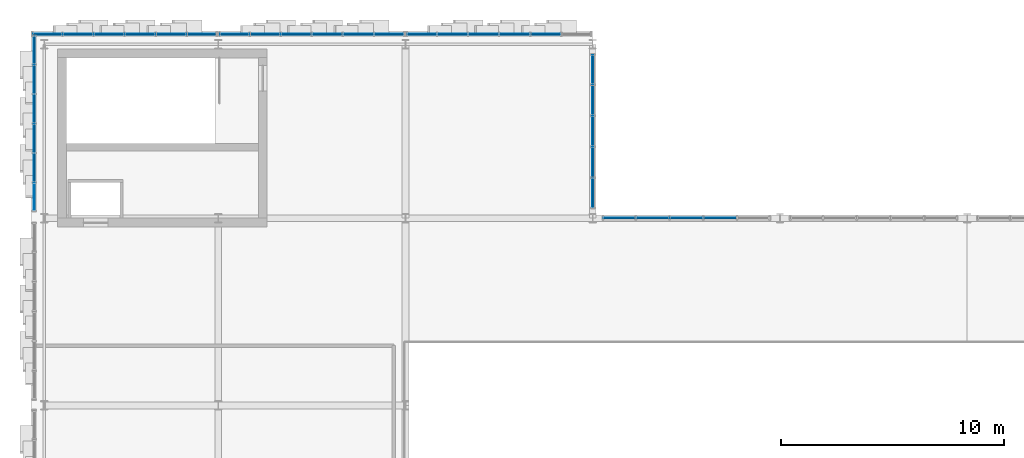
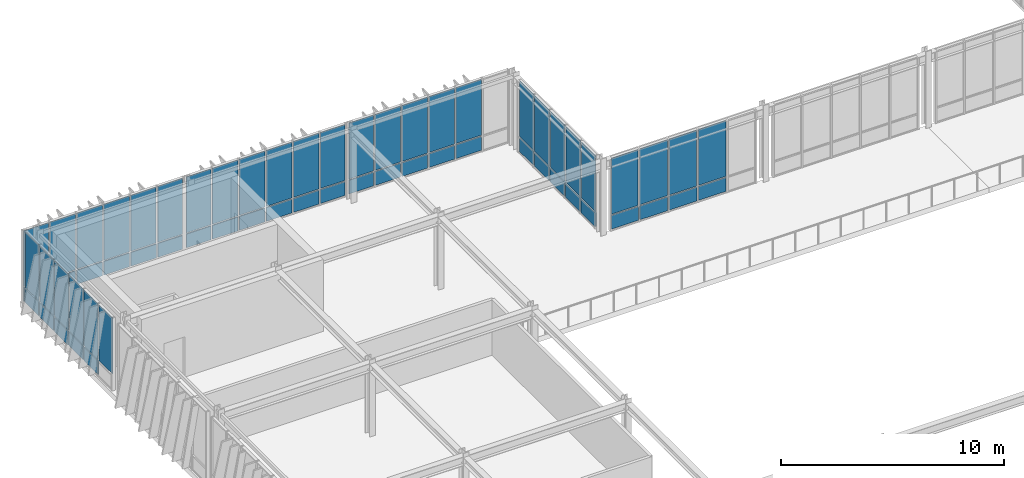
# One storey, part 90 of 123: 63 plates, 6 elements without a shape of their own.
"""IFC4 building model written with IfcOpenShell, lengths in metres."""

from ifc_helpers import new_model, si_unit, direction, frame, origin, origin_2d, place, context, subcontext, project, spatial, rectangle, extrude, material, layer, layer_set, type_object, element, aggregate, save


model = new_model("IFC4")

# Units and contexts
model_context = context("Model", 3, precision=1e-05, world=origin(), true_north=direction((0.0, 1.0)))
body_context = subcontext(model_context, "Body", "Model", "MODEL_VIEW")
ifc_project = project(units=[si_unit("LENGTHUNIT", "METRE"), si_unit("AREAUNIT", "SQUARE_METRE"), si_unit("VOLUMEUNIT", "CUBIC_METRE"), si_unit("PLANEANGLEUNIT", "RADIAN"), si_unit("MASSUNIT", "GRAM", prefix="KILO")], contexts=[model_context])

# Site, building, storey
site_placement = place(None, origin())
site = spatial("IfcSite", under=ifc_project, at=site_placement, CompositionType="ELEMENT")
building_placement = place(site_placement, origin())
building = spatial("IfcBuilding", under=site, at=building_placement, Name="Zayran Congress Hotel", CompositionType="ELEMENT")
storey_placement = place(building_placement, frame((0.0, 0.0, 15.0)))
storey = spatial("IfcBuildingStorey", under=building, at=storey_placement, Name="L03", CompositionType="ELEMENT", Elevation=15.0)

# Curtain wall, plates
ifc_material_1 = material(Name="Anodised aluminium and low-E insulated glass", Category="aluminium")
ifc_layer_1 = layer(ifc_material_1, 0.179931640625)
ifc_layer_set_1 = layer_set([ifc_layer_1], Name="Anodised aluminium and low-E insulated glass")
curtain_wall_type_1 = type_object("IfcCurtainWallType", Name="CW-V1N-L03-CW-21-8360-3980", PredefinedType="USERDEFINED", material=ifc_layer_set_1)
curtain_wall_1_placement = place(storey_placement, origin())
curtain_wall_1 = element("IfcCurtainWall", 1, at=curtain_wall_1_placement, inside=storey, type_object=curtain_wall_type_1, Name="CW-V1N-L03-0", ObjectType="CURTAIN WALL", PredefinedType="USERDEFINED")
ifc_material_2 = material(Name="Insulated warm bronze aluminium spandrel panel", Category="aluminium")
ifc_layer_2 = layer(ifc_material_2, 0.06005859375)
ifc_layer_set_2 = layer_set([ifc_layer_2], Name="Insulated warm bronze aluminium spandrel panel")
plate_type_1 = type_object("IfcPlateType", Name="CWP-SP-1273-750", PredefinedType="CURTAIN_PANEL", material=ifc_layer_set_2)
plate_1_placement = place(storey_placement, frame((16.063232421875, 117.85009765625, 0.06005859375), z_axis=(0.0, 0.0, 1.0), x_axis=(1.0, 0.0, 0.0)))
plate_1 = element("IfcPlate", 2, at=plate_1_placement, type_object=plate_type_1, Name="CW-21 Spandrel Panel 1", PredefinedType="CURTAIN_PANEL", context=body_context, shape_type="SweptSolid", body=[
    extrude(rectangle(XDim=1.273193359375, YDim=0.06005859375, at=origin_2d()), origin(), (0.0, 0.0, 1.0), 0.75),
])
plate_2_placement = place(storey_placement, frame((14.68994140625, 117.85009765625, 0.06005859375), z_axis=(0.0, 0.0, 1.0), x_axis=(1.0, 0.0, 0.0)))
plate_2 = element("IfcPlate", 3, at=plate_2_placement, type_object=plate_type_1, Name="CW-21 Spandrel Panel 2", PredefinedType="CURTAIN_PANEL", context=body_context, shape_type="SweptSolid", body=[
    extrude(rectangle(XDim=1.313232421875, YDim=0.06005859375, at=origin_2d()), origin(), (0.0, 0.0, 1.0), 0.75),
])
plate_3_placement = place(storey_placement, frame((13.296630859375, 117.85009765625, 0.06005859375), z_axis=(0.0, 0.0, 1.0), x_axis=(1.0, 0.0, 0.0)))
plate_3 = element("IfcPlate", 4, at=plate_3_placement, type_object=plate_type_1, Name="CW-21 Spandrel Panel 3", PredefinedType="CURTAIN_PANEL", context=body_context, shape_type="SweptSolid", body=[
    extrude(rectangle(XDim=1.313232421875, YDim=0.06005859375, at=origin_2d()), origin(), (0.0, 0.0, 1.0), 0.75),
])
plate_4_placement = place(storey_placement, frame((11.9033203125, 117.85009765625, 0.06005859375), z_axis=(0.0, 0.0, 1.0), x_axis=(1.0, 0.0, 0.0)))
plate_4 = element("IfcPlate", 5, at=plate_4_placement, type_object=plate_type_1, Name="CW-21 Spandrel Panel 4", PredefinedType="CURTAIN_PANEL", context=body_context, shape_type="SweptSolid", body=[
    extrude(rectangle(XDim=1.313232421875, YDim=0.06005859375, at=origin_2d()), origin(), (0.0, 0.0, 1.0), 0.75),
])
plate_5_placement = place(storey_placement, frame((10.510009765625, 117.85009765625, 0.06005859375), z_axis=(0.0, 0.0, 1.0), x_axis=(1.0, 0.0, 0.0)))
plate_5 = element("IfcPlate", 6, at=plate_5_placement, type_object=plate_type_1, Name="CW-21 Spandrel Panel 5", PredefinedType="CURTAIN_PANEL", context=body_context, shape_type="SweptSolid", body=[
    extrude(rectangle(XDim=1.313232421875, YDim=0.06005859375, at=origin_2d()), origin(), (0.0, 0.0, 1.0), 0.75),
])
plate_6_placement = place(storey_placement, frame((9.13671875, 117.85009765625, 0.06005859375), z_axis=(0.0, 0.0, 1.0), x_axis=(1.0, 0.0, 0.0)))
plate_6 = element("IfcPlate", 7, at=plate_6_placement, type_object=plate_type_1, Name="CW-21 Spandrel Panel 6", PredefinedType="CURTAIN_PANEL", context=body_context, shape_type="SweptSolid", body=[
    extrude(rectangle(XDim=1.273193359375, YDim=0.06005859375, at=origin_2d()), origin(), (0.0, 0.0, 1.0), 0.75),
])

ifc_layer_3 = layer(ifc_material_1, 0.179931640625)
ifc_layer_set_3 = layer_set([ifc_layer_3], Name="Anodised aluminium and low-E insulated glass")
curtain_wall_type_2 = type_object("IfcCurtainWallType", Name="CW-V1N-L03-CW-22-8360-3980", PredefinedType="USERDEFINED", material=ifc_layer_set_3)
curtain_wall_2_placement = place(storey_placement, origin())
curtain_wall_2 = element("IfcCurtainWall", 8, at=curtain_wall_2_placement, inside=storey, type_object=curtain_wall_type_2, Name="CW-V1N-L03-1", ObjectType="CURTAIN WALL", PredefinedType="USERDEFINED")
plate_7_placement = place(storey_placement, frame((24.46337890625, 117.85009765625, 0.06005859375), z_axis=(0.0, 0.0, 1.0), x_axis=(1.0, 0.0, 0.0)))
plate_7 = element("IfcPlate", 9, at=plate_7_placement, type_object=plate_type_1, Name="CW-22 Spandrel Panel 1", PredefinedType="CURTAIN_PANEL", context=body_context, shape_type="SweptSolid", body=[
    extrude(rectangle(XDim=1.273193359375, YDim=0.06005859375, at=origin_2d()), origin(), (0.0, 0.0, 1.0), 0.75),
])
plate_8_placement = place(storey_placement, frame((23.090087890625, 117.85009765625, 0.06005859375), z_axis=(0.0, 0.0, 1.0), x_axis=(1.0, 0.0, 0.0)))
plate_8 = element("IfcPlate", 10, at=plate_8_placement, type_object=plate_type_1, Name="CW-22 Spandrel Panel 2", PredefinedType="CURTAIN_PANEL", context=body_context, shape_type="SweptSolid", body=[
    extrude(rectangle(XDim=1.313232421875, YDim=0.06005859375, at=origin_2d()), origin(), (0.0, 0.0, 1.0), 0.75),
])
plate_9_placement = place(storey_placement, frame((21.69677734375, 117.85009765625, 0.06005859375), z_axis=(0.0, 0.0, 1.0), x_axis=(1.0, 0.0, 0.0)))
plate_9 = element("IfcPlate", 11, at=plate_9_placement, type_object=plate_type_1, Name="CW-22 Spandrel Panel 3", PredefinedType="CURTAIN_PANEL", context=body_context, shape_type="SweptSolid", body=[
    extrude(rectangle(XDim=1.313232421875, YDim=0.06005859375, at=origin_2d()), origin(), (0.0, 0.0, 1.0), 0.75),
])
plate_10_placement = place(storey_placement, frame((20.30322265625, 117.85009765625, 0.06005859375), z_axis=(0.0, 0.0, 1.0), x_axis=(1.0, 0.0, 0.0)))
plate_10 = element("IfcPlate", 12, at=plate_10_placement, type_object=plate_type_1, Name="CW-22 Spandrel Panel 4", PredefinedType="CURTAIN_PANEL", context=body_context, shape_type="SweptSolid", body=[
    extrude(rectangle(XDim=1.313232421875, YDim=0.06005859375, at=origin_2d()), origin(), (0.0, 0.0, 1.0), 0.75),
])
plate_11_placement = place(storey_placement, frame((18.909912109375, 117.85009765625, 0.06005859375), z_axis=(0.0, 0.0, 1.0), x_axis=(1.0, 0.0, 0.0)))
plate_11 = element("IfcPlate", 13, at=plate_11_placement, type_object=plate_type_1, Name="CW-22 Spandrel Panel 5", PredefinedType="CURTAIN_PANEL", context=body_context, shape_type="SweptSolid", body=[
    extrude(rectangle(XDim=1.313232421875, YDim=0.06005859375, at=origin_2d()), origin(), (0.0, 0.0, 1.0), 0.75),
])
plate_12_placement = place(storey_placement, frame((17.53662109375, 117.85009765625, 0.06005859375), z_axis=(0.0, 0.0, 1.0), x_axis=(1.0, 0.0, 0.0)))
plate_12 = element("IfcPlate", 14, at=plate_12_placement, type_object=plate_type_1, Name="CW-22 Spandrel Panel 6", PredefinedType="CURTAIN_PANEL", context=body_context, shape_type="SweptSolid", body=[
    extrude(rectangle(XDim=1.273193359375, YDim=0.06005859375, at=origin_2d()), origin(), (0.0, 0.0, 1.0), 0.75),
])

ifc_layer_4 = layer(ifc_material_1, 0.179931640625)
ifc_layer_set_4 = layer_set([ifc_layer_4], Name="Anodised aluminium and low-E insulated glass")
curtain_wall_type_3 = type_object("IfcCurtainWallType", Name="CW-V1N-L03-CW-23-8360-3980", PredefinedType="USERDEFINED", material=ifc_layer_set_4)
curtain_wall_3_placement = place(storey_placement, origin())
curtain_wall_3 = element("IfcCurtainWall", 15, at=curtain_wall_3_placement, inside=storey, type_object=curtain_wall_type_3, Name="CW-V1N-L03-2", ObjectType="CURTAIN WALL", PredefinedType="USERDEFINED")
plate_13_placement = place(storey_placement, frame((31.489990234375, 117.85009765625, 0.06005859375), z_axis=(0.0, 0.0, 1.0), x_axis=(1.0, 0.0, 0.0)))
plate_13 = element("IfcPlate", 16, at=plate_13_placement, type_object=plate_type_1, Name="CW-23 Spandrel Panel 2", PredefinedType="CURTAIN_PANEL", context=body_context, shape_type="SweptSolid", body=[
    extrude(rectangle(XDim=1.313232421875, YDim=0.06005859375, at=origin_2d()), origin(), (0.0, 0.0, 1.0), 0.75),
])
plate_14_placement = place(storey_placement, frame((30.0966796875, 117.85009765625, 0.06005859375), z_axis=(0.0, 0.0, 1.0), x_axis=(1.0, 0.0, 0.0)))
plate_14 = element("IfcPlate", 17, at=plate_14_placement, type_object=plate_type_1, Name="CW-23 Spandrel Panel 3", PredefinedType="CURTAIN_PANEL", context=body_context, shape_type="SweptSolid", body=[
    extrude(rectangle(XDim=1.313232421875, YDim=0.06005859375, at=origin_2d()), origin(), (0.0, 0.0, 1.0), 0.75),
])
plate_15_placement = place(storey_placement, frame((28.703369140625, 117.85009765625, 0.06005859375), z_axis=(0.0, 0.0, 1.0), x_axis=(1.0, 0.0, 0.0)))
plate_15 = element("IfcPlate", 18, at=plate_15_placement, type_object=plate_type_1, Name="CW-23 Spandrel Panel 4", PredefinedType="CURTAIN_PANEL", context=body_context, shape_type="SweptSolid", body=[
    extrude(rectangle(XDim=1.313232421875, YDim=0.06005859375, at=origin_2d()), origin(), (0.0, 0.0, 1.0), 0.75),
])
plate_16_placement = place(storey_placement, frame((27.31005859375, 117.85009765625, 0.06005859375), z_axis=(0.0, 0.0, 1.0), x_axis=(1.0, 0.0, 0.0)))
plate_16 = element("IfcPlate", 19, at=plate_16_placement, type_object=plate_type_1, Name="CW-23 Spandrel Panel 5", PredefinedType="CURTAIN_PANEL", context=body_context, shape_type="SweptSolid", body=[
    extrude(rectangle(XDim=1.313232421875, YDim=0.06005859375, at=origin_2d()), origin(), (0.0, 0.0, 1.0), 0.75),
])
plate_17_placement = place(storey_placement, frame((25.936767578125, 117.85009765625, 0.06005859375), z_axis=(0.0, 0.0, 1.0), x_axis=(1.0, 0.0, 0.0)))
plate_17 = element("IfcPlate", 20, at=plate_17_placement, type_object=plate_type_1, Name="CW-23 Spandrel Panel 6", PredefinedType="CURTAIN_PANEL", context=body_context, shape_type="SweptSolid", body=[
    extrude(rectangle(XDim=1.273193359375, YDim=0.06005859375, at=origin_2d()), origin(), (0.0, 0.0, 1.0), 0.75),
])

ifc_layer_5 = layer(ifc_material_1, 0.179931640625)
ifc_layer_set_5 = layer_set([ifc_layer_5], Name="Anodised aluminium and low-E insulated glass")
curtain_wall_type_4 = type_object("IfcCurtainWallType", Name="CW-V1NW-L03-CW-24-6960-3980", PredefinedType="USERDEFINED", material=ifc_layer_set_5)
curtain_wall_4_placement = place(storey_placement, origin())
curtain_wall_4 = element("IfcCurtainWall", 21, at=curtain_wall_4_placement, inside=storey, type_object=curtain_wall_type_4, Name="CW-V1NW-L03", ObjectType="CURTAIN WALL", PredefinedType="USERDEFINED")
ifc_layer_6 = layer(ifc_material_2, 0.06005859375)
ifc_layer_set_6 = layer_set([ifc_layer_6], Name="Insulated warm bronze aluminium spandrel panel")
plate_type_2 = type_object("IfcPlateType", Name="CWP-SP-1272-750", PredefinedType="CURTAIN_PANEL", material=ifc_layer_set_6)
plate_18_placement = place(storey_placement, frame((33.60009765625, 110.736083984375, 0.06005859375), z_axis=(0.0, 0.0, 1.0), x_axis=(0.0, 1.0, 0.0)))
plate_18 = element("IfcPlate", 22, at=plate_18_placement, type_object=plate_type_2, Name="CW-24 Spandrel Panel 1", PredefinedType="CURTAIN_PANEL", context=body_context, shape_type="SweptSolid", body=[
    extrude(rectangle(XDim=1.27197265625, YDim=0.06005859375, at=origin_2d()), origin(), (0.0, 0.0, 1.0), 0.75),
])
plate_19_placement = place(storey_placement, frame((33.60009765625, 112.10791015625, 0.06005859375), z_axis=(0.0, 0.0, 1.0), x_axis=(0.0, 1.0, 0.0)))
plate_19 = element("IfcPlate", 23, at=plate_19_placement, type_object=plate_type_2, Name="CW-24 Spandrel Panel 2", PredefinedType="CURTAIN_PANEL", context=body_context, shape_type="SweptSolid", body=[
    extrude(rectangle(XDim=1.31201171875, YDim=0.06005859375, at=origin_2d()), origin(), (0.0, 0.0, 1.0), 0.75),
])
plate_20_placement = place(storey_placement, frame((33.60009765625, 113.5, 0.06005859375), z_axis=(0.0, 0.0, 1.0), x_axis=(0.0, 1.0, 0.0)))
plate_20 = element("IfcPlate", 24, at=plate_20_placement, type_object=plate_type_2, Name="CW-24 Spandrel Panel 3", PredefinedType="CURTAIN_PANEL", context=body_context, shape_type="SweptSolid", body=[
    extrude(rectangle(XDim=1.31201171875, YDim=0.06005859375, at=origin_2d()), origin(), (0.0, 0.0, 1.0), 0.75),
])
plate_21_placement = place(storey_placement, frame((33.60009765625, 114.89208984375, 0.06005859375), z_axis=(0.0, 0.0, 1.0), x_axis=(0.0, 1.0, 0.0)))
plate_21 = element("IfcPlate", 25, at=plate_21_placement, type_object=plate_type_2, Name="CW-24 Spandrel Panel 4", PredefinedType="CURTAIN_PANEL", context=body_context, shape_type="SweptSolid", body=[
    extrude(rectangle(XDim=1.31201171875, YDim=0.06005859375, at=origin_2d()), origin(), (0.0, 0.0, 1.0), 0.75),
])
plate_22_placement = place(storey_placement, frame((33.60009765625, 116.263916015625, 0.06005859375), z_axis=(0.0, 0.0, 1.0), x_axis=(0.0, 1.0, 0.0)))
plate_22 = element("IfcPlate", 26, at=plate_22_placement, type_object=plate_type_2, Name="CW-24 Spandrel Panel 5", PredefinedType="CURTAIN_PANEL", context=body_context, shape_type="SweptSolid", body=[
    extrude(rectangle(XDim=1.27197265625, YDim=0.06005859375, at=origin_2d()), origin(), (0.0, 0.0, 1.0), 0.75),
])

ifc_layer_7 = layer(ifc_material_1, 0.179931640625)
ifc_layer_set_7 = layer_set([ifc_layer_7], Name="Anodised aluminium and low-E insulated glass")
curtain_wall_type_5 = type_object("IfcCurtainWallType", Name="CW-V1W-L03-CW-32-7940-3980", PredefinedType="USERDEFINED", material=ifc_layer_set_7)
curtain_wall_5_placement = place(storey_placement, origin())
curtain_wall_5 = element("IfcCurtainWall", 27, at=curtain_wall_5_placement, inside=storey, type_object=curtain_wall_type_5, Name="CW-V1W-L03-5", ObjectType="CURTAIN WALL", PredefinedType="USERDEFINED")
ifc_layer_8 = layer(ifc_material_2, 0.06005859375)
ifc_layer_set_8 = layer_set([ifc_layer_8], Name="Insulated warm bronze aluminium spandrel panel")
plate_type_3 = type_object("IfcPlateType", Name="CWP-SP-1203-750", PredefinedType="CURTAIN_PANEL", material=ifc_layer_set_8)
plate_23_placement = place(storey_placement, frame((8.550048828125, 117.13818359375, 0.06005859375), z_axis=(0.0, 0.0, 1.0), x_axis=(0.0, 1.0, 0.0)))
plate_23 = element("IfcPlate", 28, at=plate_23_placement, type_object=plate_type_3, Name="CW-32 Spandrel Panel 1", PredefinedType="CURTAIN_PANEL", context=body_context, shape_type="SweptSolid", body=[
    extrude(rectangle(XDim=1.203369140625, YDim=0.06005859375, at=origin_2d()), origin(), (0.0, 0.0, 1.0), 0.75),
])
plate_24_placement = place(storey_placement, frame((8.550048828125, 115.8349609375, 0.06005859375), z_axis=(0.0, 0.0, 1.0), x_axis=(0.0, 1.0, 0.0)))
plate_24 = element("IfcPlate", 29, at=plate_24_placement, type_object=plate_type_3, Name="CW-32 Spandrel Panel 2", PredefinedType="CURTAIN_PANEL", context=body_context, shape_type="SweptSolid", body=[
    extrude(rectangle(XDim=1.243408203125, YDim=0.06005859375, at=origin_2d()), origin(), (0.0, 0.0, 1.0), 0.75),
])
plate_25_placement = place(storey_placement, frame((8.550048828125, 114.51171875, 0.06005859375), z_axis=(0.0, 0.0, 1.0), x_axis=(0.0, 1.0, 0.0)))
plate_25 = element("IfcPlate", 30, at=plate_25_placement, type_object=plate_type_3, Name="CW-32 Spandrel Panel 3", PredefinedType="CURTAIN_PANEL", context=body_context, shape_type="SweptSolid", body=[
    extrude(rectangle(XDim=1.243408203125, YDim=0.06005859375, at=origin_2d()), origin(), (0.0, 0.0, 1.0), 0.75),
])
plate_26_placement = place(storey_placement, frame((8.550048828125, 113.188232421875, 0.06005859375), z_axis=(0.0, 0.0, 1.0), x_axis=(0.0, 1.0, 0.0)))
plate_26 = element("IfcPlate", 31, at=plate_26_placement, type_object=plate_type_3, Name="CW-32 Spandrel Panel 4", PredefinedType="CURTAIN_PANEL", context=body_context, shape_type="SweptSolid", body=[
    extrude(rectangle(XDim=1.243408203125, YDim=0.06005859375, at=origin_2d()), origin(), (0.0, 0.0, 1.0), 0.75),
])
plate_27_placement = place(storey_placement, frame((8.550048828125, 111.864990234375, 0.06005859375), z_axis=(0.0, 0.0, 1.0), x_axis=(0.0, 1.0, 0.0)))
plate_27 = element("IfcPlate", 32, at=plate_27_placement, type_object=plate_type_3, Name="CW-32 Spandrel Panel 5", PredefinedType="CURTAIN_PANEL", context=body_context, shape_type="SweptSolid", body=[
    extrude(rectangle(XDim=1.243408203125, YDim=0.06005859375, at=origin_2d()), origin(), (0.0, 0.0, 1.0), 0.75),
])

ifc_layer_9 = layer(ifc_material_1, 0.179931640625)
ifc_layer_set_9 = layer_set([ifc_layer_9], Name="Anodised aluminium and low-E insulated glass")
curtain_wall_type_6 = type_object("IfcCurtainWallType", Name="CW-V1NF-L03-CW-21-7560-3980", PredefinedType="USERDEFINED", material=ifc_layer_set_9)
curtain_wall_6_placement = place(storey_placement, origin())
curtain_wall_6 = element("IfcCurtainWall", 33, at=curtain_wall_6_placement, inside=storey, type_object=curtain_wall_type_6, Name="CW-V1NF-L03-3", ObjectType="CURTAIN WALL", PredefinedType="USERDEFINED")
ifc_layer_10 = layer(ifc_material_2, 0.06005859375)
ifc_layer_set_10 = layer_set([ifc_layer_10], Name="Insulated warm bronze aluminium spandrel panel")
plate_type_4 = type_object("IfcPlateType", Name="CWP-SP-1392-750", PredefinedType="CURTAIN_PANEL", material=ifc_layer_set_10)
plate_28_placement = place(storey_placement, frame((39.31201171875, 109.60009765625, 0.06005859375), z_axis=(0.0, 0.0, 1.0), x_axis=(1.0, 0.0, 0.0)))
plate_28 = element("IfcPlate", 34, at=plate_28_placement, type_object=plate_type_4, Name="CW-21 Spandrel Panel 2", PredefinedType="CURTAIN_PANEL", context=body_context, shape_type="SweptSolid", body=[
    extrude(rectangle(XDim=1.431884765625, YDim=0.06005859375, at=origin_2d()), origin(), (0.0, 0.0, 1.0), 0.75),
])
plate_29_placement = place(storey_placement, frame((37.800048828125, 109.60009765625, 0.06005859375), z_axis=(0.0, 0.0, 1.0), x_axis=(1.0, 0.0, 0.0)))
plate_29 = element("IfcPlate", 35, at=plate_29_placement, type_object=plate_type_4, Name="CW-21 Spandrel Panel 3", PredefinedType="CURTAIN_PANEL", context=body_context, shape_type="SweptSolid", body=[
    extrude(rectangle(XDim=1.431884765625, YDim=0.06005859375, at=origin_2d()), origin(), (0.0, 0.0, 1.0), 0.75),
])
plate_30_placement = place(storey_placement, frame((36.2880859375, 109.60009765625, 0.06005859375), z_axis=(0.0, 0.0, 1.0), x_axis=(1.0, 0.0, 0.0)))
plate_30 = element("IfcPlate", 36, at=plate_30_placement, type_object=plate_type_4, Name="CW-21 Spandrel Panel 4", PredefinedType="CURTAIN_PANEL", context=body_context, shape_type="SweptSolid", body=[
    extrude(rectangle(XDim=1.431884765625, YDim=0.06005859375, at=origin_2d()), origin(), (0.0, 0.0, 1.0), 0.75),
])
plate_31_placement = place(storey_placement, frame((34.7958984375, 109.60009765625, 0.06005859375), z_axis=(0.0, 0.0, 1.0), x_axis=(1.0, 0.0, 0.0)))
plate_31 = element("IfcPlate", 37, at=plate_31_placement, type_object=plate_type_4, Name="CW-21 Spandrel Panel 5", PredefinedType="CURTAIN_PANEL", context=body_context, shape_type="SweptSolid", body=[
    extrude(rectangle(XDim=1.39208984375, YDim=0.06005859375, at=origin_2d()), origin(), (0.0, 0.0, 1.0), 0.75),
])

# Plate
ifc_layer_11 = layer(ifc_material_1, 0.028076171875)
ifc_layer_set_11 = layer_set([ifc_layer_11], Name="Anodised aluminium and low-E insulated glass")
plate_type_5 = type_object("IfcPlateType", Name="CWP-GL-1273-3050", PredefinedType="CURTAIN_PANEL", material=ifc_layer_set_11)
plate_32_placement = place(storey_placement, frame((16.063232421875, 117.85009765625, 0.8701171875), z_axis=(0.0, 0.0, 1.0), x_axis=(1.0, 0.0, 0.0)))
plate_32 = element("IfcPlate", 38, at=plate_32_placement, type_object=plate_type_5, Name="CW-21 Glazed Panel 1", PredefinedType="CURTAIN_PANEL", context=body_context, shape_type="SweptSolid", body=[
    extrude(rectangle(XDim=1.273193359375, YDim=0.028076171875, at=origin_2d()), origin(), (0.0, 0.0, 1.0), 3.050048828125),
])

plate_33_placement = place(storey_placement, frame((14.68994140625, 117.85009765625, 0.8701171875), z_axis=(0.0, 0.0, 1.0), x_axis=(1.0, 0.0, 0.0)))
plate_33 = element("IfcPlate", 39, at=plate_33_placement, type_object=plate_type_5, Name="CW-21 Glazed Panel 2", PredefinedType="CURTAIN_PANEL", context=body_context, shape_type="SweptSolid", body=[
    extrude(rectangle(XDim=1.313232421875, YDim=0.028076171875, at=origin_2d()), origin(), (0.0, 0.0, 1.0), 3.050048828125),
])

plate_34_placement = place(storey_placement, frame((13.296630859375, 117.85009765625, 0.8701171875), z_axis=(0.0, 0.0, 1.0), x_axis=(1.0, 0.0, 0.0)))
plate_34 = element("IfcPlate", 40, at=plate_34_placement, type_object=plate_type_5, Name="CW-21 Glazed Panel 3", PredefinedType="CURTAIN_PANEL", context=body_context, shape_type="SweptSolid", body=[
    extrude(rectangle(XDim=1.313232421875, YDim=0.028076171875, at=origin_2d()), origin(), (0.0, 0.0, 1.0), 3.050048828125),
])

plate_35_placement = place(storey_placement, frame((11.9033203125, 117.85009765625, 0.8701171875), z_axis=(0.0, 0.0, 1.0), x_axis=(1.0, 0.0, 0.0)))
plate_35 = element("IfcPlate", 41, at=plate_35_placement, type_object=plate_type_5, Name="CW-21 Glazed Panel 4", PredefinedType="CURTAIN_PANEL", context=body_context, shape_type="SweptSolid", body=[
    extrude(rectangle(XDim=1.313232421875, YDim=0.028076171875, at=origin_2d()), origin(), (0.0, 0.0, 1.0), 3.050048828125),
])

plate_36_placement = place(storey_placement, frame((10.510009765625, 117.85009765625, 0.8701171875), z_axis=(0.0, 0.0, 1.0), x_axis=(1.0, 0.0, 0.0)))
plate_36 = element("IfcPlate", 42, at=plate_36_placement, type_object=plate_type_5, Name="CW-21 Glazed Panel 5", PredefinedType="CURTAIN_PANEL", context=body_context, shape_type="SweptSolid", body=[
    extrude(rectangle(XDim=1.313232421875, YDim=0.028076171875, at=origin_2d()), origin(), (0.0, 0.0, 1.0), 3.050048828125),
])

plate_37_placement = place(storey_placement, frame((9.13671875, 117.85009765625, 0.8701171875), z_axis=(0.0, 0.0, 1.0), x_axis=(1.0, 0.0, 0.0)))
plate_37 = element("IfcPlate", 43, at=plate_37_placement, type_object=plate_type_5, Name="CW-21 Glazed Panel 6", PredefinedType="CURTAIN_PANEL", context=body_context, shape_type="SweptSolid", body=[
    extrude(rectangle(XDim=1.273193359375, YDim=0.028076171875, at=origin_2d()), origin(), (0.0, 0.0, 1.0), 3.050048828125),
])

aggregate(curtain_wall_1, [plate_1, plate_32, plate_2, plate_33, plate_3, plate_34, plate_4, plate_35, plate_5, plate_36, plate_6, plate_37])

plate_38_placement = place(storey_placement, frame((24.46337890625, 117.85009765625, 0.8701171875), z_axis=(0.0, 0.0, 1.0), x_axis=(1.0, 0.0, 0.0)))
plate_38 = element("IfcPlate", 44, at=plate_38_placement, type_object=plate_type_5, Name="CW-22 Glazed Panel 1", PredefinedType="CURTAIN_PANEL", context=body_context, shape_type="SweptSolid", body=[
    extrude(rectangle(XDim=1.273193359375, YDim=0.028076171875, at=origin_2d()), origin(), (0.0, 0.0, 1.0), 3.050048828125),
])

plate_39_placement = place(storey_placement, frame((23.090087890625, 117.85009765625, 0.8701171875), z_axis=(0.0, 0.0, 1.0), x_axis=(1.0, 0.0, 0.0)))
plate_39 = element("IfcPlate", 45, at=plate_39_placement, type_object=plate_type_5, Name="CW-22 Glazed Panel 2", PredefinedType="CURTAIN_PANEL", context=body_context, shape_type="SweptSolid", body=[
    extrude(rectangle(XDim=1.313232421875, YDim=0.028076171875, at=origin_2d()), origin(), (0.0, 0.0, 1.0), 3.050048828125),
])

plate_40_placement = place(storey_placement, frame((21.69677734375, 117.85009765625, 0.8701171875), z_axis=(0.0, 0.0, 1.0), x_axis=(1.0, 0.0, 0.0)))
plate_40 = element("IfcPlate", 46, at=plate_40_placement, type_object=plate_type_5, Name="CW-22 Glazed Panel 3", PredefinedType="CURTAIN_PANEL", context=body_context, shape_type="SweptSolid", body=[
    extrude(rectangle(XDim=1.313232421875, YDim=0.028076171875, at=origin_2d()), origin(), (0.0, 0.0, 1.0), 3.050048828125),
])

plate_41_placement = place(storey_placement, frame((20.30322265625, 117.85009765625, 0.8701171875), z_axis=(0.0, 0.0, 1.0), x_axis=(1.0, 0.0, 0.0)))
plate_41 = element("IfcPlate", 47, at=plate_41_placement, type_object=plate_type_5, Name="CW-22 Glazed Panel 4", PredefinedType="CURTAIN_PANEL", context=body_context, shape_type="SweptSolid", body=[
    extrude(rectangle(XDim=1.313232421875, YDim=0.028076171875, at=origin_2d()), origin(), (0.0, 0.0, 1.0), 3.050048828125),
])

plate_42_placement = place(storey_placement, frame((18.909912109375, 117.85009765625, 0.8701171875), z_axis=(0.0, 0.0, 1.0), x_axis=(1.0, 0.0, 0.0)))
plate_42 = element("IfcPlate", 48, at=plate_42_placement, type_object=plate_type_5, Name="CW-22 Glazed Panel 5", PredefinedType="CURTAIN_PANEL", context=body_context, shape_type="SweptSolid", body=[
    extrude(rectangle(XDim=1.313232421875, YDim=0.028076171875, at=origin_2d()), origin(), (0.0, 0.0, 1.0), 3.050048828125),
])

plate_43_placement = place(storey_placement, frame((17.53662109375, 117.85009765625, 0.8701171875), z_axis=(0.0, 0.0, 1.0), x_axis=(1.0, 0.0, 0.0)))
plate_43 = element("IfcPlate", 49, at=plate_43_placement, type_object=plate_type_5, Name="CW-22 Glazed Panel 6", PredefinedType="CURTAIN_PANEL", context=body_context, shape_type="SweptSolid", body=[
    extrude(rectangle(XDim=1.273193359375, YDim=0.028076171875, at=origin_2d()), origin(), (0.0, 0.0, 1.0), 3.050048828125),
])

aggregate(curtain_wall_2, [plate_7, plate_38, plate_8, plate_39, plate_9, plate_40, plate_10, plate_41, plate_11, plate_42, plate_12, plate_43])

plate_44_placement = place(storey_placement, frame((31.489990234375, 117.85009765625, 0.8701171875), z_axis=(0.0, 0.0, 1.0), x_axis=(1.0, 0.0, 0.0)))
plate_44 = element("IfcPlate", 50, at=plate_44_placement, type_object=plate_type_5, Name="CW-23 Glazed Panel 2", PredefinedType="CURTAIN_PANEL", context=body_context, shape_type="SweptSolid", body=[
    extrude(rectangle(XDim=1.313232421875, YDim=0.028076171875, at=origin_2d()), origin(), (0.0, 0.0, 1.0), 3.050048828125),
])

plate_45_placement = place(storey_placement, frame((30.0966796875, 117.85009765625, 0.8701171875), z_axis=(0.0, 0.0, 1.0), x_axis=(1.0, 0.0, 0.0)))
plate_45 = element("IfcPlate", 51, at=plate_45_placement, type_object=plate_type_5, Name="CW-23 Glazed Panel 3", PredefinedType="CURTAIN_PANEL", context=body_context, shape_type="SweptSolid", body=[
    extrude(rectangle(XDim=1.313232421875, YDim=0.028076171875, at=origin_2d()), origin(), (0.0, 0.0, 1.0), 3.050048828125),
])

plate_46_placement = place(storey_placement, frame((28.703369140625, 117.85009765625, 0.8701171875), z_axis=(0.0, 0.0, 1.0), x_axis=(1.0, 0.0, 0.0)))
plate_46 = element("IfcPlate", 52, at=plate_46_placement, type_object=plate_type_5, Name="CW-23 Glazed Panel 4", PredefinedType="CURTAIN_PANEL", context=body_context, shape_type="SweptSolid", body=[
    extrude(rectangle(XDim=1.313232421875, YDim=0.028076171875, at=origin_2d()), origin(), (0.0, 0.0, 1.0), 3.050048828125),
])

plate_47_placement = place(storey_placement, frame((27.31005859375, 117.85009765625, 0.8701171875), z_axis=(0.0, 0.0, 1.0), x_axis=(1.0, 0.0, 0.0)))
plate_47 = element("IfcPlate", 53, at=plate_47_placement, type_object=plate_type_5, Name="CW-23 Glazed Panel 5", PredefinedType="CURTAIN_PANEL", context=body_context, shape_type="SweptSolid", body=[
    extrude(rectangle(XDim=1.313232421875, YDim=0.028076171875, at=origin_2d()), origin(), (0.0, 0.0, 1.0), 3.050048828125),
])

plate_48_placement = place(storey_placement, frame((25.936767578125, 117.85009765625, 0.8701171875), z_axis=(0.0, 0.0, 1.0), x_axis=(1.0, 0.0, 0.0)))
plate_48 = element("IfcPlate", 54, at=plate_48_placement, type_object=plate_type_5, Name="CW-23 Glazed Panel 6", PredefinedType="CURTAIN_PANEL", context=body_context, shape_type="SweptSolid", body=[
    extrude(rectangle(XDim=1.273193359375, YDim=0.028076171875, at=origin_2d()), origin(), (0.0, 0.0, 1.0), 3.050048828125),
])

aggregate(curtain_wall_3, [plate_13, plate_44, plate_14, plate_45, plate_15, plate_46, plate_16, plate_47, plate_17, plate_48])

ifc_layer_12 = layer(ifc_material_1, 0.028076171875)
ifc_layer_set_12 = layer_set([ifc_layer_12], Name="Anodised aluminium and low-E insulated glass")
plate_type_6 = type_object("IfcPlateType", Name="CWP-GL-1392-3050", PredefinedType="CURTAIN_PANEL", material=ifc_layer_set_12)
plate_49_placement = place(storey_placement, frame((39.31201171875, 109.60009765625, 0.8701171875), z_axis=(0.0, 0.0, 1.0), x_axis=(1.0, 0.0, 0.0)))
plate_49 = element("IfcPlate", 55, at=plate_49_placement, type_object=plate_type_6, Name="CW-21 Glazed Panel 2", PredefinedType="CURTAIN_PANEL", context=body_context, shape_type="SweptSolid", body=[
    extrude(rectangle(XDim=1.431884765625, YDim=0.028076171875, at=origin_2d()), origin(), (0.0, 0.0, 1.0), 3.050048828125),
])

plate_50_placement = place(storey_placement, frame((37.800048828125, 109.60009765625, 0.8701171875), z_axis=(0.0, 0.0, 1.0), x_axis=(1.0, 0.0, 0.0)))
plate_50 = element("IfcPlate", 56, at=plate_50_placement, type_object=plate_type_6, Name="CW-21 Glazed Panel 3", PredefinedType="CURTAIN_PANEL", context=body_context, shape_type="SweptSolid", body=[
    extrude(rectangle(XDim=1.431884765625, YDim=0.028076171875, at=origin_2d()), origin(), (0.0, 0.0, 1.0), 3.050048828125),
])

plate_51_placement = place(storey_placement, frame((36.2880859375, 109.60009765625, 0.8701171875), z_axis=(0.0, 0.0, 1.0), x_axis=(1.0, 0.0, 0.0)))
plate_51 = element("IfcPlate", 57, at=plate_51_placement, type_object=plate_type_6, Name="CW-21 Glazed Panel 4", PredefinedType="CURTAIN_PANEL", context=body_context, shape_type="SweptSolid", body=[
    extrude(rectangle(XDim=1.431884765625, YDim=0.028076171875, at=origin_2d()), origin(), (0.0, 0.0, 1.0), 3.050048828125),
])

plate_52_placement = place(storey_placement, frame((34.7958984375, 109.60009765625, 0.8701171875), z_axis=(0.0, 0.0, 1.0), x_axis=(1.0, 0.0, 0.0)))
plate_52 = element("IfcPlate", 58, at=plate_52_placement, type_object=plate_type_6, Name="CW-21 Glazed Panel 5", PredefinedType="CURTAIN_PANEL", context=body_context, shape_type="SweptSolid", body=[
    extrude(rectangle(XDim=1.39208984375, YDim=0.028076171875, at=origin_2d()), origin(), (0.0, 0.0, 1.0), 3.050048828125),
])

aggregate(curtain_wall_6, [plate_28, plate_49, plate_29, plate_50, plate_30, plate_51, plate_31, plate_52])

ifc_layer_13 = layer(ifc_material_1, 0.028076171875)
ifc_layer_set_13 = layer_set([ifc_layer_13], Name="Anodised aluminium and low-E insulated glass")
plate_type_7 = type_object("IfcPlateType", Name="CWP-GL-1272-3050", PredefinedType="CURTAIN_PANEL", material=ifc_layer_set_13)
plate_53_placement = place(storey_placement, frame((33.60009765625, 110.736083984375, 0.8701171875), z_axis=(0.0, 0.0, 1.0), x_axis=(0.0, 1.0, 0.0)))
plate_53 = element("IfcPlate", 59, at=plate_53_placement, type_object=plate_type_7, Name="CW-24 Glazed Panel 1", PredefinedType="CURTAIN_PANEL", context=body_context, shape_type="SweptSolid", body=[
    extrude(rectangle(XDim=1.27197265625, YDim=0.028076171875, at=origin_2d()), origin(), (0.0, 0.0, 1.0), 3.050048828125),
])

plate_54_placement = place(storey_placement, frame((33.60009765625, 112.10791015625, 0.8701171875), z_axis=(0.0, 0.0, 1.0), x_axis=(0.0, 1.0, 0.0)))
plate_54 = element("IfcPlate", 60, at=plate_54_placement, type_object=plate_type_7, Name="CW-24 Glazed Panel 2", PredefinedType="CURTAIN_PANEL", context=body_context, shape_type="SweptSolid", body=[
    extrude(rectangle(XDim=1.31201171875, YDim=0.028076171875, at=origin_2d()), origin(), (0.0, 0.0, 1.0), 3.050048828125),
])

plate_55_placement = place(storey_placement, frame((33.60009765625, 113.5, 0.8701171875), z_axis=(0.0, 0.0, 1.0), x_axis=(0.0, 1.0, 0.0)))
plate_55 = element("IfcPlate", 61, at=plate_55_placement, type_object=plate_type_7, Name="CW-24 Glazed Panel 3", PredefinedType="CURTAIN_PANEL", context=body_context, shape_type="SweptSolid", body=[
    extrude(rectangle(XDim=1.31201171875, YDim=0.028076171875, at=origin_2d()), origin(), (0.0, 0.0, 1.0), 3.050048828125),
])

plate_56_placement = place(storey_placement, frame((33.60009765625, 114.89208984375, 0.8701171875), z_axis=(0.0, 0.0, 1.0), x_axis=(0.0, 1.0, 0.0)))
plate_56 = element("IfcPlate", 62, at=plate_56_placement, type_object=plate_type_7, Name="CW-24 Glazed Panel 4", PredefinedType="CURTAIN_PANEL", context=body_context, shape_type="SweptSolid", body=[
    extrude(rectangle(XDim=1.31201171875, YDim=0.028076171875, at=origin_2d()), origin(), (0.0, 0.0, 1.0), 3.050048828125),
])

plate_57_placement = place(storey_placement, frame((33.60009765625, 116.263916015625, 0.8701171875), z_axis=(0.0, 0.0, 1.0), x_axis=(0.0, 1.0, 0.0)))
plate_57 = element("IfcPlate", 63, at=plate_57_placement, type_object=plate_type_7, Name="CW-24 Glazed Panel 5", PredefinedType="CURTAIN_PANEL", context=body_context, shape_type="SweptSolid", body=[
    extrude(rectangle(XDim=1.27197265625, YDim=0.028076171875, at=origin_2d()), origin(), (0.0, 0.0, 1.0), 3.050048828125),
])

aggregate(curtain_wall_4, [plate_18, plate_53, plate_19, plate_54, plate_20, plate_55, plate_21, plate_56, plate_22, plate_57])

ifc_layer_14 = layer(ifc_material_1, 0.028076171875)
ifc_layer_set_14 = layer_set([ifc_layer_14], Name="Anodised aluminium and low-E insulated glass")
plate_type_8 = type_object("IfcPlateType", Name="CWP-GL-1203-3050", PredefinedType="CURTAIN_PANEL", material=ifc_layer_set_14)
plate_58_placement = place(storey_placement, frame((8.550048828125, 117.13818359375, 0.8701171875), z_axis=(0.0, 0.0, 1.0), x_axis=(0.0, 1.0, 0.0)))
plate_58 = element("IfcPlate", 64, at=plate_58_placement, type_object=plate_type_8, Name="CW-32 Glazed Panel 1", PredefinedType="CURTAIN_PANEL", context=body_context, shape_type="SweptSolid", body=[
    extrude(rectangle(XDim=1.203369140625, YDim=0.028076171875, at=origin_2d()), origin(), (0.0, 0.0, 1.0), 3.050048828125),
])

plate_59_placement = place(storey_placement, frame((8.550048828125, 115.8349609375, 0.8701171875), z_axis=(0.0, 0.0, 1.0), x_axis=(0.0, 1.0, 0.0)))
plate_59 = element("IfcPlate", 65, at=plate_59_placement, type_object=plate_type_8, Name="CW-32 Glazed Panel 2", PredefinedType="CURTAIN_PANEL", context=body_context, shape_type="SweptSolid", body=[
    extrude(rectangle(XDim=1.243408203125, YDim=0.028076171875, at=origin_2d()), origin(), (0.0, 0.0, 1.0), 3.050048828125),
])

plate_60_placement = place(storey_placement, frame((8.550048828125, 114.51171875, 0.8701171875), z_axis=(0.0, 0.0, 1.0), x_axis=(0.0, 1.0, 0.0)))
plate_60 = element("IfcPlate", 66, at=plate_60_placement, type_object=plate_type_8, Name="CW-32 Glazed Panel 3", PredefinedType="CURTAIN_PANEL", context=body_context, shape_type="SweptSolid", body=[
    extrude(rectangle(XDim=1.243408203125, YDim=0.028076171875, at=origin_2d()), origin(), (0.0, 0.0, 1.0), 3.050048828125),
])

plate_61_placement = place(storey_placement, frame((8.550048828125, 113.188232421875, 0.8701171875), z_axis=(0.0, 0.0, 1.0), x_axis=(0.0, 1.0, 0.0)))
plate_61 = element("IfcPlate", 67, at=plate_61_placement, type_object=plate_type_8, Name="CW-32 Glazed Panel 4", PredefinedType="CURTAIN_PANEL", context=body_context, shape_type="SweptSolid", body=[
    extrude(rectangle(XDim=1.243408203125, YDim=0.028076171875, at=origin_2d()), origin(), (0.0, 0.0, 1.0), 3.050048828125),
])

plate_62_placement = place(storey_placement, frame((8.550048828125, 111.864990234375, 0.8701171875), z_axis=(0.0, 0.0, 1.0), x_axis=(0.0, 1.0, 0.0)))
plate_62 = element("IfcPlate", 68, at=plate_62_placement, type_object=plate_type_8, Name="CW-32 Glazed Panel 5", PredefinedType="CURTAIN_PANEL", context=body_context, shape_type="SweptSolid", body=[
    extrude(rectangle(XDim=1.243408203125, YDim=0.028076171875, at=origin_2d()), origin(), (0.0, 0.0, 1.0), 3.050048828125),
])

plate_63_placement = place(storey_placement, frame((8.550048828125, 110.561767578125, 0.8701171875), z_axis=(0.0, 0.0, 1.0), x_axis=(0.0, 1.0, 0.0)))
plate_63 = element("IfcPlate", 69, at=plate_63_placement, type_object=plate_type_8, Name="CW-32 Glazed Panel 6", PredefinedType="CURTAIN_PANEL", context=body_context, shape_type="SweptSolid", body=[
    extrude(rectangle(XDim=1.203369140625, YDim=0.028076171875, at=origin_2d()), origin(), (0.0, 0.0, 1.0), 3.050048828125),
])

aggregate(curtain_wall_5, [plate_23, plate_58, plate_24, plate_59, plate_25, plate_60, plate_26, plate_61, plate_27, plate_62, plate_63])

save(model, "model.ifc")
